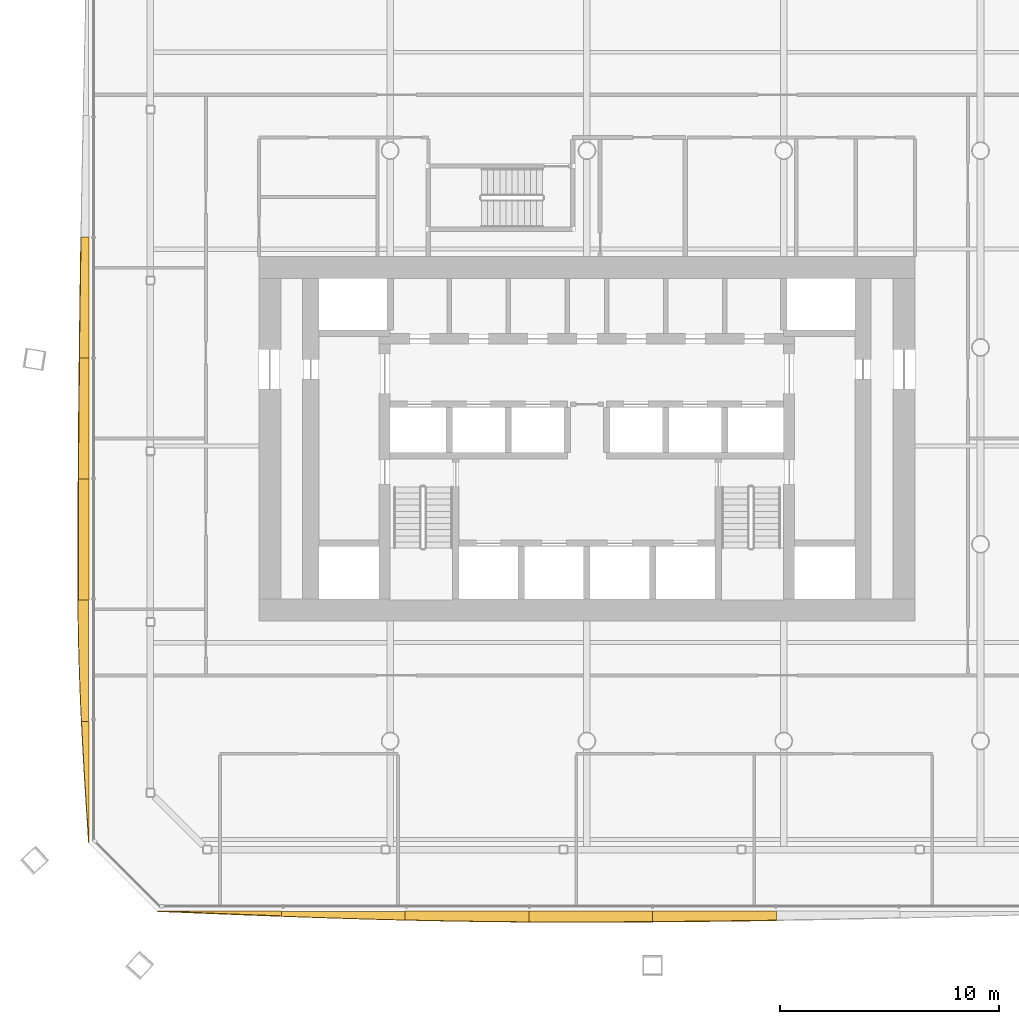
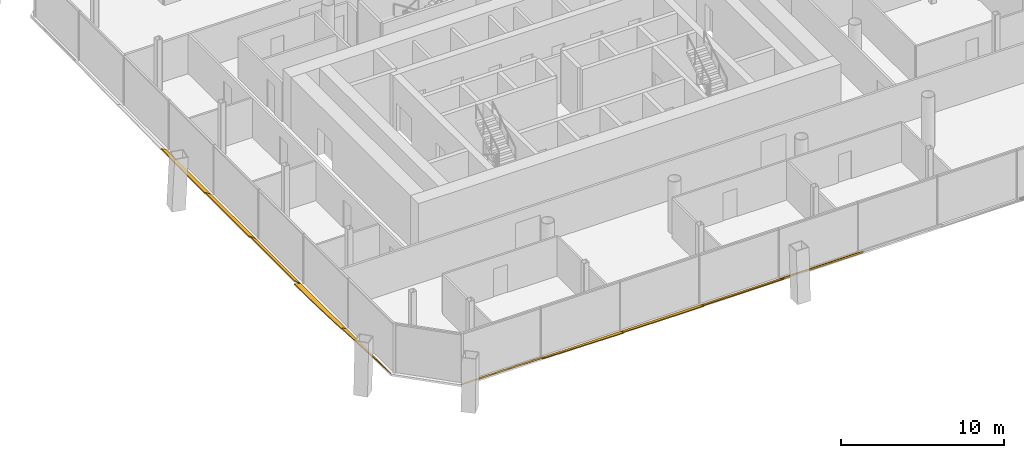
# One storey, part 16 of 20: 10 shading devices.
"""IFC4 building model written with IfcOpenShell, lengths in metres."""

from ifc_helpers import new_model, si_unit, direction, frame, origin, place, context, subcontext, project, spatial, polyline, outline, extrude, material, layer, layer_set, type_object, element, save


model = new_model("IFC4")

# Units and contexts
model_context = context("Model", 3, precision=1e-05, world=origin(), true_north=direction((0.0, 1.0)))
body_context = subcontext(model_context, "Body", "Model", "MODEL_VIEW")
ifc_project = project(units=[si_unit("LENGTHUNIT", "METRE"), si_unit("AREAUNIT", "SQUARE_METRE"), si_unit("VOLUMEUNIT", "CUBIC_METRE"), si_unit("PLANEANGLEUNIT", "RADIAN"), si_unit("MASSUNIT", "GRAM", prefix="KILO")], contexts=[model_context])

# Site, building, storey
site_placement = place(None, origin())
site = spatial("IfcSite", under=ifc_project, at=site_placement, CompositionType="ELEMENT")
building_placement = place(site_placement, origin())
building = spatial("IfcBuilding", under=site, at=building_placement, Name="Tskaro Facet Tower", CompositionType="ELEMENT")
storey_placement = place(building_placement, frame((0.0, 0.0, 69.89990234375)))
storey = spatial("IfcBuildingStorey", under=building, at=storey_placement, Name="L16", CompositionType="ELEMENT", Elevation=69.89990234375)

# Shading devices
ifc_material = material(Name="Bronze anodised aluminium 6063-T6", Category="aluminium")
ifc_layer = layer(ifc_material, 0.06005859375, Name="Bronze anodised aluminium 6063-T6")
ifc_layer_set = layer_set([ifc_layer], Name="Bronze anodised aluminium 6063-T6")
shading_device_type = type_object("IfcShadingDeviceType", Name="Bronze sun blade (FN1)", PredefinedType="USERDEFINED", material=ifc_layer_set)
shading_device_1_placement = place(storey_placement, frame((-19.635009765625, -25.7705078125, 0.046142578125), z_axis=(1.2422697e-05, 0.642598632135, 0.766202974298), x_axis=(0.999999999923, -7.982808e-06, -9.518307e-06)))
element("IfcShadingDevice", 1, at=shading_device_1_placement, inside=storey, type_object=shading_device_type, Name="Fin blade south 1", ObjectType="FIN", PredefinedType="USERDEFINED", context=body_context, shape_type="SweptSolid", body=[
    extrude(outline(polyline([(0.0, 0.0), (5.658691405813365, 4.793098059438519e-21), (5.658691406723435, -0.29149142393135274), (4.951416014811308, -0.25716920759169504), (4.244140623648936, -0.22215909984259283), (3.536621092611339, -0.18646110068404617), (2.829345703323356, -0.14973126441133278), (2.122070312086446, -0.11281436686558295), (1.414794923548219, -0.0753966391834251), (0.707275390487155, -0.03760478895519432), (0.0, 0.0)])), origin(), (0.0, 0.0, -1.0), 0.06005859375),
])
shading_device_2_placement = place(storey_placement, frame((-13.976318359375, -25.78857421875, 0.056396484375), z_axis=(-1.5891742e-05, 0.34238704337, 0.939558998828), x_axis=(0.999999999874, 5.441126e-06, 1.4931229e-05)))
element("IfcShadingDevice", 2, at=shading_device_2_placement, inside=storey, type_object=shading_device_type, Name="Fin blade south 2", ObjectType="FIN", PredefinedType="USERDEFINED", context=body_context, shape_type="SweptSolid", body=[
    extrude(outline(polyline([(0.0, 0.0), (5.658935546160426, 0.0), (5.658935547516624, -0.4233201936212204), (4.951416013577137, -0.404547562250039), (4.2441406245877005, -0.3843150331647228), (3.536865234949625, -0.3627684002997282), (2.8293457040379413, -0.3399076636550551), (2.1220703117741873, -0.31596220775193096), (1.4147949225071146, -0.2907862386558993), (0.7075195299346024, -0.26475493482264395), (-1.5945984467491113e-09, -0.23772250231770836), (0.0, 0.0)])), origin(), (0.0, 0.0, -1.0), 0.06005859375),
])
shading_device_3_placement = place(storey_placement, frame((-8.3173828125, -25.78369140625, 0.054443359375), z_axis=(1.082274e-06, 0.422725579398, 0.906257736254), x_axis=(0.999999999999, -4.57505e-07, -9.80819e-07)))
element("IfcShadingDevice", 3, at=shading_device_3_placement, inside=storey, type_object=shading_device_type, Name="Fin blade south 3", ObjectType="FIN", PredefinedType="USERDEFINED", context=body_context, shape_type="SweptSolid", body=[
    extrude(outline(polyline([(0.0, 0.0), (5.658691406246686, -2.9956862871490743e-22), (5.658691406320017, -0.5355241679144362), (4.951171875007708, -0.529624527779769), (4.243896484368599, -0.5220877482027858), (3.536621093793756, -0.512368116036048), (2.8293457030276565, -0.5011145489141523), (2.121826171924215, -0.48812063786278265), (1.41455078114282, -0.47337153752611455), (0.7072753906490832, -0.45688209325997264), (7.578423238212997e-11, -0.4390799683688131), (0.0, 0.0)])), origin(), (0.0, 0.0, -1.0), 0.06005859375),
])
shading_device_4_placement = place(storey_placement, frame((-2.65869140625, -25.779052734375, 0.052001953125), z_axis=(-1.0735305e-05, 0.500067301045, 0.865986543955), x_axis=(0.999999999942, 5.368375e-06, 9.29663e-06)))
element("IfcShadingDevice", 4, at=shading_device_4_placement, inside=storey, type_object=shading_device_type, Name="Fin blade south 4", ObjectType="FIN", PredefinedType="USERDEFINED", context=body_context, shape_type="SweptSolid", body=[
    extrude(outline(polyline([(0.0, 0.0), (5.6586914059239275, 0.0), (5.658691407315054, -0.5529237951438808), (4.951416014877121, -0.5576167582683289), (4.243896483476432, -0.5615533671610664), (3.5366210934039133, -0.564400112582572), (2.8293457027239395, -0.5663684170289408), (2.12207031274715, -0.5672468580040777), (1.8559570315124843, -0.5672468580040777), (1.4145507805788728, -0.5669133487645567), (0.707275391400996, -0.5647336218220931), (4.9163249338267986e-11, -0.5604635036898346), (0.0, 0.0)])), origin(), (0.0, 0.0, -1.0), 0.06005859375),
])
shading_device_5_placement = place(storey_placement, frame((3.0, -25.774658203125, 0.04931640625), z_axis=(-5.925922e-06, 0.573579432221, 0.819149946529), x_axis=(0.999999999982, 3.398987e-06, 4.854219e-06)))
element("IfcShadingDevice", 5, at=shading_device_5_placement, inside=storey, type_object=shading_device_type, Name="Fin blade south 5", ObjectType="FIN", PredefinedType="USERDEFINED", context=body_context, shape_type="SweptSolid", body=[
    extrude(outline(polyline([(0.0, 0.0), (5.658691406150643, 2.3965490297192594e-21), (5.658691406432099, -0.5072997783778586), (4.951416014860322, -0.5203002619264001), (4.244140625422755, -0.5323607603141987), (3.53662109346452, -0.5436011810189457), (2.8293457030803784, -0.5537615825218777), (2.122070311630394, -0.5629019185618404), (1.4147949223146201, -0.5711022694410601), (0.7072753913080075, -0.5782825548573104), (-1.3945303050321907e-10, -0.5844427748105914), (0.0, 0.0)])), origin(), (0.0, 0.0, -1.0), 0.06005859375),
])
shading_device_6_placement = place(storey_placement, frame((-22.779052734375, 5.060546875, 0.052001953125), z_axis=(0.500091716315, -1.2073183e-05, 0.865972444785), x_axis=(-6.037699e-06, -0.999999999927, -1.0455044e-05)))
element("IfcShadingDevice", 6, at=shading_device_6_placement, inside=storey, type_object=shading_device_type, Name="Fin blade west 4", ObjectType="FIN", PredefinedType="USERDEFINED", context=body_context, shape_type="SweptSolid", body=[
    extrude(outline(polyline([(0.0, 0.0), (5.539062499596309, -4.691768434400773e-21), (5.5390625002918075, -0.4975670957322994), (4.846679687696216, -0.4882705055734435), (4.154296874705032, -0.4784289846025641), (3.461914062396707, -0.4677090210615558), (2.7695312486143346, -0.4567776384666295), (2.0771484384629155, -0.44539065140941037), (1.3847656238893542, -0.4333694071904371), (0.692382812946747, -0.42089255850917096), (-9.439553211052741e-10, -0.40799287172006876), (0.0, 0.0)])), origin(), (0.0, 0.0, -1.0), 0.06005859375),
])
shading_device_7_placement = place(storey_placement, frame((-22.774658203125, -0.478515625, 0.04931640625), z_axis=(0.573555936712, -2.130884e-06, 0.819166397906), x_axis=(-1.222181e-06, -0.999999999998, -1.745549e-06)))
element("IfcShadingDevice", 7, at=shading_device_7_placement, inside=storey, type_object=shading_device_type, Name="Fin blade west 5", ObjectType="FIN", PredefinedType="USERDEFINED", context=body_context, shape_type="SweptSolid", body=[
    extrude(outline(polyline([(0.0, 0.0), (5.539062499987424, 0.0), (5.539062499959015, -0.5835627432463465), (4.846679687501971, -0.578482543049816), (4.154296874874316, -0.5728623309556955), (3.4619140625022125, -0.5665620786591234), (2.7695312499594995, -0.5597218144649613), (2.0771484376723373, -0.5522015100683476), (1.3847656252145661, -0.544141193774144), (0.6923828122878023, -0.5353408737859862), (-8.502702322427602e-11, -0.5260605053917409), (0.0, 0.0)])), origin(), (0.0, 0.0, -1.0), 0.06005859375),
])
shading_device_8_placement = place(storey_placement, frame((-22.7705078125, -6.017578125, 0.046142578125), z_axis=(0.642788594344, 4.00175e-06, 0.766043616882), x_axis=(2.572279e-06, -0.999999999992, 3.065515e-06)))
element("IfcShadingDevice", 8, at=shading_device_8_placement, inside=storey, type_object=shading_device_type, Name="Fin blade west 6", ObjectType="FIN", PredefinedType="USERDEFINED", context=body_context, shape_type="SweptSolid", body=[
    extrude(outline(polyline([(0.0, 0.0), (5.539062499955649, -2.3458842172003865e-21), (5.539062500164496, -0.638406492120927), (4.846679687256977, -0.6411882090917363), (4.83007812475711, -0.6411882090917363), (4.154296874642101, -0.6408442559151648), (3.4619140625348055, -0.6399693271946174), (2.7695312500662523, -0.6380625389443555), (2.0771484373568616, -0.6354678443409505), (1.3847656251550502, -0.6323421741935696), (0.6923828127124009, -0.6285285976930457), (2.8913829581906478e-11, -0.6240271148393788), (0.0, 0.0)])), origin(), (0.0, 0.0, -1.0), 0.06005859375),
])
shading_device_9_placement = place(storey_placement, frame((-22.78857421875, -11.556640625, 0.056396484375), z_axis=(0.342207083871, -1.4029625e-05, 0.939624558827), x_axis=(-4.801037e-06, -0.999999999902, -1.318258e-05)))
element("IfcShadingDevice", 9, at=shading_device_9_placement, inside=storey, type_object=shading_device_type, Name="Fin blade west 7", ObjectType="FIN", PredefinedType="USERDEFINED", context=body_context, shape_type="SweptSolid", body=[
    extrude(outline(polyline([(0.0, 0.0), (5.5393066400798485, -4.691975229553911e-21), (5.539306640468554, -0.3517968127789501), (4.846923827102126, -0.3858585210909458), (4.1545410157621765, -0.41674968982126115), (3.4621582008860456, -0.44409506456708014), (2.769775392128944, -0.4676440053743707), (2.0773925774914046, -0.4871883511430048), (1.3850097666286383, -0.5024774619189505), (0.6923828124788612, -0.5136784310048956), (-1.6616986416749922e-09, -0.5204783112224164), (0.0, 0.0)])), origin(), (0.0, 0.0, -1.0), 0.06005859375),
])
shading_device_10_placement = place(storey_placement, frame((-22.78369140625, -17.095947265625, 0.054443359375), z_axis=(0.423025389734, 5.633032e-06, 0.906117828766), x_axis=(2.382916e-06, -0.999999999984, 5.104191e-06)))
element("IfcShadingDevice", 10, at=shading_device_10_placement, inside=storey, type_object=shading_device_type, Name="Fin blade west 8", ObjectType="FIN", PredefinedType="USERDEFINED", context=body_context, shape_type="SweptSolid", body=[
    extrude(outline(polyline([(0.0, 0.0), (5.53906249991212, 2.3458842172003865e-21), (4.846679688210511, -0.04991089043748037), (4.154296874598388, -0.09939400533583403), (3.461914062731565, -0.14821345971506114), (2.769531250035152, -0.19561698017995058), (2.077148437090918, -0.2413833465574601), (1.384765625062395, -0.28507011850150543), (0.6923828120390687, -0.3262495204729598), (-1.5115383513293998e-10, -0.3648036099818233), (0.0, 0.0)])), origin(), (0.0, 0.0, -1.0), 0.06005859375),
])

save(model, "model.ifc")
